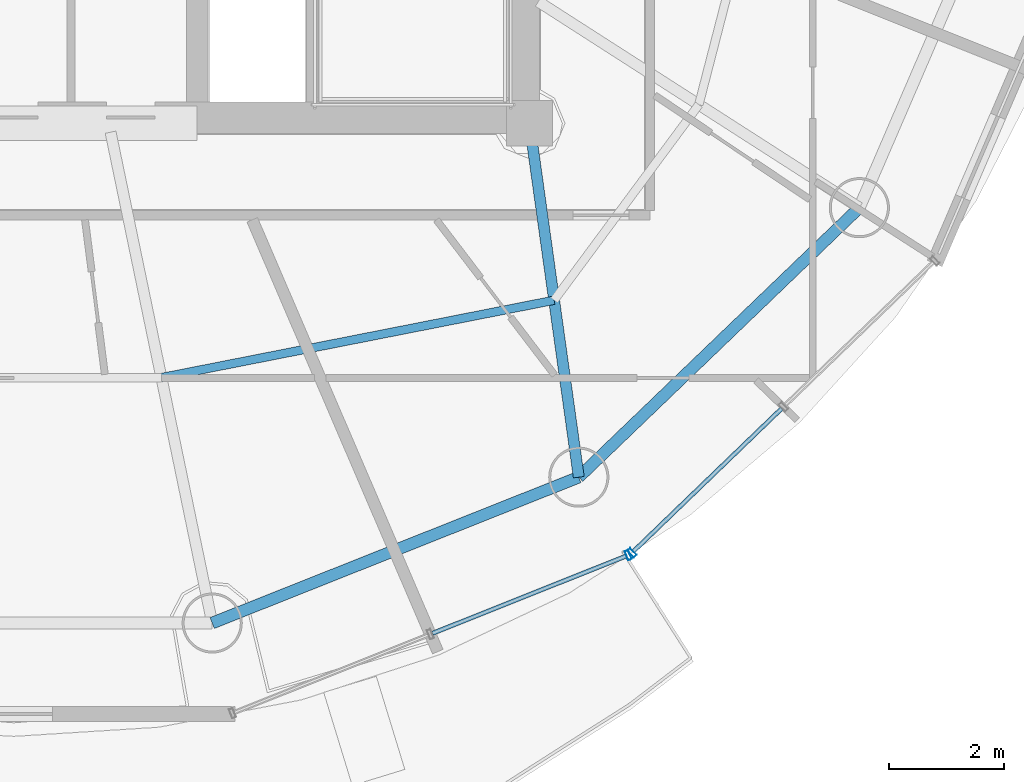
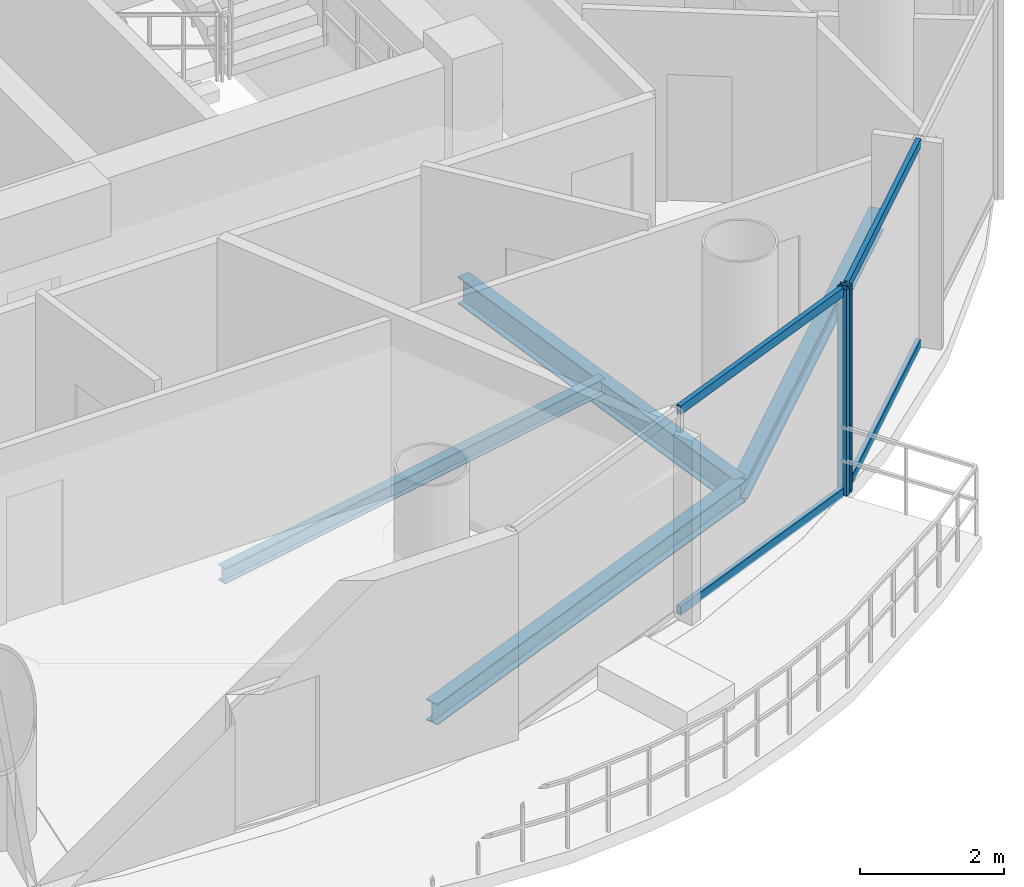
# One storey, part 6 of 24: 6 members, 4 beams, 2 elements without a shape of their own.
"""IFC4 building model written with IfcOpenShell, lengths in metres."""

from ifc_helpers import new_model, si_unit, direction, frame, origin, origin_2d, place, context, subcontext, project, spatial, hollow_rectangle, i_section, extrude, source, transform, mapped, material, material_profile, profile_set, type_object, element, aggregate, save


model = new_model("IFC4")

# Units and contexts
model_context = context("Model", 3, precision=1e-05, world=origin(), true_north=direction((-0.2419218956, 0.970295726276)))
body_context = subcontext(model_context, "Body", "Model", "MODEL_VIEW")
ifc_project = project(units=[si_unit("LENGTHUNIT", "METRE"), si_unit("AREAUNIT", "SQUARE_METRE"), si_unit("VOLUMEUNIT", "CUBIC_METRE"), si_unit("PLANEANGLEUNIT", "RADIAN"), si_unit("MASSUNIT", "GRAM", prefix="KILO")], contexts=[model_context])

# Site, building, storey
site_placement = place(None, origin())
site = spatial("IfcSite", under=ifc_project, at=site_placement, CompositionType="ELEMENT")
building_placement = place(site_placement, origin())
building = spatial("IfcBuilding", under=site, at=building_placement, Name="Cobrevalo Terracotta Tower", CompositionType="ELEMENT")
storey_placement = place(building_placement, frame((0.0, 0.0, 278.199951171875)))
storey = spatial("IfcBuildingStorey", under=building, at=storey_placement, Name="L73", CompositionType="ELEMENT", Elevation=278.199951171875)

# Beams
ifc_material_1 = material(Name="Steel S355", Category="steel")
ifc_material_profile_1 = material_profile(ifc_material_1, i_section(OverallWidth=0.19091796875, OverallDepth=0.4599609375, WebThickness=0.010009765625, FlangeThickness=0.01611328125, at=origin_2d()), Name="W 460x82")
ifc_profile_set_1 = profile_set([ifc_material_profile_1], Name="Steel S355")
beam_type_1 = type_object("IfcBeamType", Name="Structural Beam W 460x82 (Steel S355)", PredefinedType="BEAM", material=ifc_profile_set_1)
beam_1_placement = place(storey_placement, frame((47.861328125, 12.62353515625, -0.489990234375), z_axis=(-0.138115657759, 0.990416107039, 0.0), x_axis=(-0.990416107039, -0.138115657759, 0.0)))
element("IfcBeam", 1, at=beam_1_placement, inside=storey, type_object=beam_type_1, Name="L73 radial floor girder 14", PredefinedType="BEAM", context=body_context, shape_type="SweptSolid", body=[
    extrude(i_section(OverallWidth=0.19091796875, OverallDepth=0.4599609375, WebThickness=0.010009765625, FlangeThickness=0.01611328125, at=origin_2d()), origin(), (0.0, 0.0, 1.0), 6.236328125),
])
ifc_material_profile_2 = material_profile(ifc_material_1, i_section(OverallWidth=0.14794921875, OverallDepth=0.26611328125, WebThickness=0.007568359375, FlangeThickness=0.012939453125, at=origin_2d()), Name="W 250x44.8")
ifc_profile_set_2 = profile_set([ifc_material_profile_2], Name="Steel S355")
beam_type_2 = type_object("IfcBeamType", Name="Structural Joist W 250x44.8 (Steel S355)", PredefinedType="JOIST", material=ifc_profile_set_2)
beam_2_placement = place(storey_placement, frame((40.57568359375, 14.361328125, -0.39306640625), z_axis=(0.981145060421, 0.193272787563, 0.0), x_axis=(-0.193272787563, 0.981145060421, 0.0)))
element("IfcBeam", 2, at=beam_2_placement, inside=storey, type_object=beam_type_2, Name="L73 circumferential secondary floor joist 13", PredefinedType="JOIST", context=body_context, shape_type="SweptSolid", body=[
    extrude(i_section(OverallWidth=0.14794921875, OverallDepth=0.26611328125, WebThickness=0.007568359375, FlangeThickness=0.012939453125, at=origin_2d()), origin(), (0.0, 0.0, 1.0), 6.98681640625),
])
ifc_material_profile_3 = material_profile(ifc_material_1, i_section(OverallWidth=0.205078125, OverallDepth=0.35400390625, WebThickness=0.009521484375, FlangeThickness=0.016845703125, at=origin_2d()), Name="W 360x79")
ifc_profile_set_3 = profile_set([ifc_material_profile_3], Name="Steel S355")
beam_type_3 = type_object("IfcBeamType", Name="Structural Spandrel W 360x79 (Steel S355)", PredefinedType="SPANDREL", material=ifc_profile_set_3)
beam_3_placement = place(storey_placement, frame((41.462890625, 10.07763671875, -0.43701171875), z_axis=(0.929149986048, 0.369702993533, 0.0), x_axis=(-0.369702993533, 0.929149986048, 0.0)))
element("IfcBeam", 3, at=beam_3_placement, inside=storey, type_object=beam_type_3, Name="L73 perimeter ring spandrel 13", PredefinedType="SPANDREL", context=body_context, shape_type="SweptSolid", body=[
    extrude(i_section(OverallWidth=0.205078125, OverallDepth=0.35400390625, WebThickness=0.009521484375, FlangeThickness=0.016845703125, at=origin_2d()), origin(), (0.0, 0.0, 1.0), 6.88623046875),
])
beam_4_placement = place(storey_placement, frame((47.861328125, 12.62353515625, -0.43701171875), z_axis=(0.721183246144, 0.692744343522, 0.0), x_axis=(-0.692744343522, 0.721183246144, 0.0)))
element("IfcBeam", 4, at=beam_4_placement, inside=storey, type_object=beam_type_3, Name="L73 perimeter ring spandrel 14", PredefinedType="SPANDREL", context=body_context, shape_type="SweptSolid", body=[
    extrude(i_section(OverallWidth=0.205078125, OverallDepth=0.35400390625, WebThickness=0.009521484375, FlangeThickness=0.016845703125, at=origin_2d()), origin(), (0.0, 0.0, 1.0), 6.79052734375),
])

# Curtain wall, member
ifc_material_2 = material(Name="Anodized aluminium", Category="aluminium")
curtain_wall_type = type_object("IfcCurtainWallType", Name="Upper-tower triple-glazed penthouse curtain wall CW-U3", PredefinedType="NOTDEFINED", material=ifc_material_2)
curtain_wall_1_placement = place(storey_placement, origin())
curtain_wall_1 = element("IfcCurtainWall", 5, at=curtain_wall_1_placement, inside=storey, type_object=curtain_wall_type, Name="L73 curtain wall CW-L73-S13", PredefinedType="NOTDEFINED")
ifc_material_profile_4 = material_profile(ifc_material_2, hollow_rectangle(XDim=0.070068359375, YDim=0.169921875, WallThickness=0.00439453125, at=origin_2d()), Name="CWM 70x170")
ifc_profile_set_4 = profile_set([ifc_material_profile_4], Name="Anodized aluminium")
member_type_1 = type_object("IfcMemberType", Name="Upper tower unitised mullion 70x170", PredefinedType="MULLION", material=ifc_profile_set_4)
shared_shape_1 = source(origin(), body_context, "Body", "SweptSolid", [
    extrude(hollow_rectangle(XDim=0.070068359375, YDim=0.169921875, WallThickness=0.00439453125, at=origin_2d()), origin(), (0.0, 0.0, 1.0), 3.489990234375),
])
member_1_placement = place(storey_placement, frame((48.724365234375, 11.26171875, 0.0), z_axis=(0.0, 0.0, 1.0), x_axis=(0.928718980883, 0.370784377433, 0.0)))
member_1 = element("IfcMember", 6, at=member_1_placement, type_object=member_type_1, Name="CW-L73-S13 vertical mullion 03", PredefinedType="MULLION", context=body_context, shape_type="MappedRepresentation", body=[
    mapped(shared_shape_1, transform((0.0, 0.0, 0.0), scale=1.0)),
])

# Curtain wall, members
curtain_wall_2_placement = place(storey_placement, origin())
curtain_wall_2 = element("IfcCurtainWall", 7, at=curtain_wall_2_placement, inside=storey, type_object=curtain_wall_type, Name="L73 curtain wall CW-L73-S14", PredefinedType="NOTDEFINED")
member_2_placement = place(storey_placement, frame((48.790283203125, 11.30419921875, 0.0), z_axis=(0.0, 0.0, 1.0), x_axis=(0.71999418085, 0.69398010025, 0.0)))
member_2 = element("IfcMember", 8, at=member_2_placement, type_object=member_type_1, Name="CW-L73-S14 vertical mullion 01", PredefinedType="MULLION", context=body_context, shape_type="MappedRepresentation", body=[
    mapped(shared_shape_1, transform((0.0, 0.0, 0.0), scale=1.0)),
])
ifc_material_profile_5 = material_profile(ifc_material_2, hollow_rectangle(XDim=0.074951171875, YDim=0.14990234375, WallThickness=0.00439453125, at=origin_2d()), Name="CWT 75x150")
ifc_profile_set_5 = profile_set([ifc_material_profile_5], Name="Anodized aluminium")
member_type_2 = type_object("IfcMemberType", Name="Tower unitised aluminium transom 75x150", PredefinedType="USERDEFINED", material=ifc_profile_set_5)
shared_shape_2 = source(origin(), body_context, "Body", "SweptSolid", [
    extrude(hollow_rectangle(XDim=0.074951171875, YDim=0.14990234375, WallThickness=0.00439453125, at=origin_2d()), origin(), (0.0, 0.0, 1.0), 3.59130859375),
])
member_3_placement = place(storey_placement, frame((48.819091796875, 11.33203125, 0.050048828125), z_axis=(0.720005628362, 0.693968223427, 0.0), x_axis=(-0.693968223427, 0.720005628362, 0.0)))
member_3 = element("IfcMember", 9, at=member_3_placement, type_object=member_type_2, Name="CW-L73-S14 transom B01-T1", ObjectType="TRANSOM", PredefinedType="USERDEFINED", context=body_context, shape_type="MappedRepresentation", body=[
    mapped(shared_shape_2, transform((0.0, 0.0, 0.0), scale=1.0)),
])
member_4_placement = place(storey_placement, frame((48.819091796875, 11.33203125, 3.43994140625), z_axis=(0.720005628362, 0.693968223427, 0.0), x_axis=(-0.693968223427, 0.720005628362, 0.0)))
member_4 = element("IfcMember", 10, at=member_4_placement, type_object=member_type_2, Name="CW-L73-S14 transom B01-T2", ObjectType="TRANSOM", PredefinedType="USERDEFINED", context=body_context, shape_type="MappedRepresentation", body=[
    mapped(shared_shape_2, transform((0.0, 0.0, 0.0), scale=1.0)),
])
aggregate(curtain_wall_2, [member_2, member_3, member_4])

# Member
shared_shape_3 = source(origin(), body_context, "Body", "SweptSolid", [
    extrude(hollow_rectangle(XDim=0.074951171875, YDim=0.14990234375, WallThickness=0.00439453125, at=origin_2d()), origin(), (0.0, 0.0, 1.0), 3.63916015625),
])
member_5_placement = place(storey_placement, frame((45.307373046875, 9.8974609375, 0.050048828125), z_axis=(0.928712471544, 0.370800681227, 0.0), x_axis=(-0.370800681227, 0.928712471544, 0.0)))
member_5 = element("IfcMember", 11, at=member_5_placement, type_object=member_type_2, Name="CW-L73-S13 transom B02-T1", ObjectType="TRANSOM", PredefinedType="USERDEFINED", context=body_context, shape_type="MappedRepresentation", body=[
    mapped(shared_shape_3, transform((0.0, 0.0, 0.0), scale=1.0)),
])

member_6_placement = place(storey_placement, frame((45.307373046875, 9.8974609375, 3.43994140625), z_axis=(0.928712471544, 0.370800681227, 0.0), x_axis=(-0.370800681227, 0.928712471544, 0.0)))
member_6 = element("IfcMember", 12, at=member_6_placement, type_object=member_type_2, Name="CW-L73-S13 transom B02-T2", ObjectType="TRANSOM", PredefinedType="USERDEFINED", context=body_context, shape_type="MappedRepresentation", body=[
    mapped(shared_shape_3, transform((0.0, 0.0, 0.0), scale=1.0)),
])

aggregate(curtain_wall_1, [member_1, member_5, member_6])

save(model, "model.ifc")
